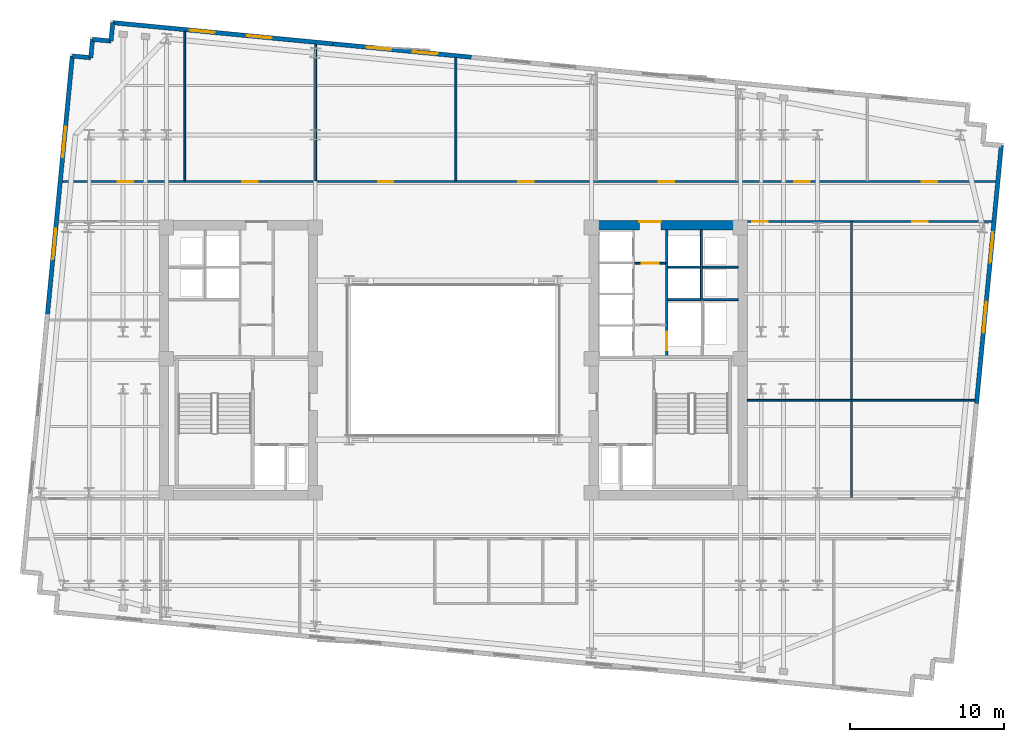
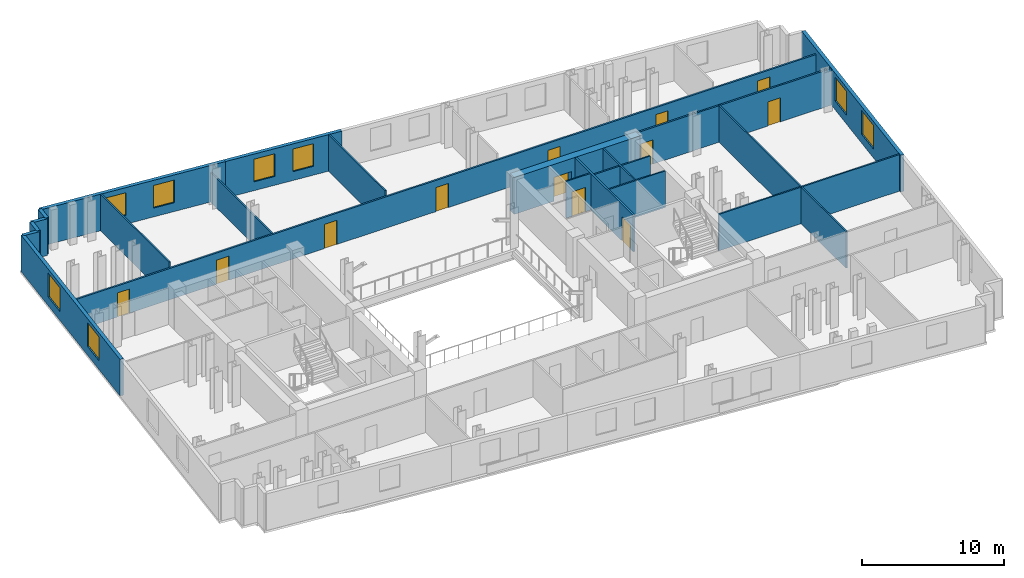
# One storey, part 6 of 9: 22 walls, 12 doors, 8 windows, 20 openings.
"""IFC4 building model written with IfcOpenShell, lengths in metres."""

from ifc_helpers import new_model, si_unit, direction, frame, frame_2d, origin, place, context, subcontext, project, spatial, rectangle, extrude, material, layer, layer_set, type_object, element, fill, save


model = new_model("IFC4")

# Units and contexts
model_context = context("Model", 3, precision=1e-05, world=origin(), true_north=direction((0.0, 1.0)))
body_context = subcontext(model_context, "Body", "Model", "MODEL_VIEW")
ifc_project = project(units=[si_unit("LENGTHUNIT", "METRE"), si_unit("AREAUNIT", "SQUARE_METRE"), si_unit("VOLUMEUNIT", "CUBIC_METRE"), si_unit("PLANEANGLEUNIT", "RADIAN"), si_unit("MASSUNIT", "GRAM", prefix="KILO")], contexts=[model_context])

# Site, building, storey
site_placement = place(None, origin())
site = spatial("IfcSite", under=ifc_project, at=site_placement, CompositionType="ELEMENT")
building_placement = place(site_placement, origin())
building = spatial("IfcBuilding", under=site, at=building_placement, Name="Velakula Bourse", CompositionType="ELEMENT")
storey_placement = place(building_placement, frame((0.0, 0.0, 191.449951171875)))
storey = spatial("IfcBuildingStorey", under=building, at=storey_placement, Name="L52", CompositionType="ELEMENT", Elevation=191.449951171875)

# Wall, opening, door
ifc_material_1 = material(Name="Concrete M70 (fck 70 MPa)", Category="concrete")
ifc_layer_1 = layer(ifc_material_1, 0.60009765625, Name="Concrete M70 (fck 70 MPa)", Category="concrete")
ifc_layer_set_1 = layer_set([ifc_layer_1], Name="Concrete M70 (fck 70 MPa)")
wall_type_1 = type_object("IfcWallType", Name="WL-CORE-600", PredefinedType="SHEAR", material=ifc_layer_set_1)
wall_1_placement = place(storey_placement, frame((8.800048828125, 8.75, 0.0), z_axis=(0.0, 0.0, 1.0), x_axis=(1.0, 0.0, 0.0)))
wall_1 = element("IfcWall", 1, at=wall_1_placement, inside=storey, type_object=wall_type_1, Name="L52 Core E Shear Wall N", PredefinedType="SHEAR", context=body_context, shape_type="SweptSolid", body=[
    extrude(rectangle(XDim=10.25, YDim=0.60009765625, at=frame_2d((5.125, 0.0))), origin(), (0.0, 0.0, 1.0), 3.170166015625),
])
opening_1_placement = place(wall_1_placement, frame((3.25, 0.0, 0.0)))
opening_1 = element("IfcOpeningElement", 2, at=opening_1_placement, cuts=wall_1, Name="Opening D-LLE", PredefinedType="OPENING", context=body_context, shape_type="SweptSolid", body=[
    extrude(rectangle(XDim=1.39990234375, YDim=2.050048828125, at=frame_2d((0.699951171875, 1.02490234375))), frame((0.0, 0.31005859375, 0.0), z_axis=(0.0, -1.0, 0.0), x_axis=(1.0, 0.0, 0.0)), (0.0, 0.0, 1.0), 0.6201171875),
])
ifc_material_2 = material(Name="Fire-rated hardwood flush architectural door", Category="wood")
door_type_1 = type_object("IfcDoorType", Name="DR-DBL-FD60-1400", OperationType="DOUBLE_DOOR_SINGLE_SWING", PredefinedType="DOOR", material=ifc_material_2)
door_1_placement = place(opening_1_placement, origin())
door_1 = element("IfcDoor", 3, at=door_1_placement, inside=storey, type_object=door_type_1, Name="L52 Core E Lift Lobby Corridor Double Door", OperationType="DOUBLE_DOOR_SINGLE_SWING", OverallHeight=2.050048828125, OverallWidth=1.39990234375, PredefinedType="DOOR", context=body_context, shape_type="SweptSolid", body=[
    extrude(rectangle(XDim=1.39990234375, YDim=2.050048828125, at=frame_2d((0.699951171875, 1.02490234375))), frame((0.0, 0.2451171875, 0.0), z_axis=(0.0, -1.0, 0.0), x_axis=(1.0, 0.0, 0.0)), (0.0, 0.0, 1.0), 0.050048828125),
])
fill(opening_1, door_1)

# Wall, openings, windows
ifc_material_3 = material(Name="Red kilned clay facing brick masonry", Category="masonry")
ifc_layer_2 = layer(ifc_material_3, 0.280029296875, Name="Red kilned clay facing brick masonry", Category="masonry")
ifc_layer_set_2 = layer_set([ifc_layer_2], Name="Red kilned clay facing brick masonry")
wall_type_2 = type_object("IfcWallType", Name="WL-EXT-BRK-280", PredefinedType="STANDARD", material=ifc_layer_set_2)
wall_2_placement = place(storey_placement, frame((-22.072509765625, 21.8701171875, 0.0), z_axis=(0.0, 0.0, 1.0), x_axis=(0.995395606285, -0.095851901334, 0.0)))
wall_2 = element("IfcWall", 4, at=wall_2_placement, inside=storey, type_object=wall_type_2, Name="L52 N Brick Spandrel Wall B1", PredefinedType="STANDARD", context=body_context, shape_type="SweptSolid", body=[
    extrude(rectangle(XDim=14.33984375, YDim=0.280029296875, at=frame_2d((7.169921875, 0.0))), origin(), (0.0, 0.0, 1.0), 3.150146484375),
])
opening_2_placement = place(wall_2_placement, frame((5.030029296875, 0.0, 0.760009765625)))
opening_2 = element("IfcOpeningElement", 5, at=opening_2_placement, cuts=wall_2, Name="Opening W-02", PredefinedType="OPENING", context=body_context, shape_type="SweptSolid", body=[
    extrude(rectangle(XDim=1.60009765625, YDim=1.949951171875, at=frame_2d((0.800048828125, 0.97509765625))), frame((0.0, 0.14990234375, 0.0), z_axis=(0.0, -1.0, 0.0), x_axis=(1.0, 0.0, 0.0)), (0.0, 0.0, 1.0), 0.300048828125),
])
opening_3_placement = place(wall_2_placement, frame((8.760009765625, 0.0, 0.760009765625)))
opening_3 = element("IfcOpeningElement", 6, at=opening_3_placement, cuts=wall_2, Name="Opening W-02", PredefinedType="OPENING", context=body_context, shape_type="SweptSolid", body=[
    extrude(rectangle(XDim=1.60009765625, YDim=1.949951171875, at=frame_2d((0.800048828125, 0.97509765625))), frame((0.0, 0.14990234375, 0.0), z_axis=(0.0, -1.0, 0.0), x_axis=(1.0, 0.0, 0.0)), (0.0, 0.0, 1.0), 0.300048828125),
])
ifc_material_4 = material(Name="Double-glazed solar-control Low-E glass", Category="glass")
window_type_1 = type_object("IfcWindowType", Name="WIN-TWR-1600x2100", PartitioningType="SINGLE_PANEL", PredefinedType="WINDOW", material=ifc_material_4)
window_1_placement = place(opening_2_placement, origin())
window_1 = element("IfcWindow", 7, at=window_1_placement, inside=storey, type_object=window_type_1, Name="L52 Deep-Set Recessed Window 1", OverallHeight=1.949951171875, OverallWidth=1.60009765625, PartitioningType="SINGLE_PANEL", PredefinedType="WINDOW", context=body_context, shape_type="SweptSolid", body=[
    extrude(rectangle(XDim=1.60009765625, YDim=1.949951171875, at=frame_2d((0.800048828125, 0.97509765625))), frame((0.0, 0.030029296875, 0.0), z_axis=(0.0, -1.0, 0.0), x_axis=(1.0, 0.0, 0.0)), (0.0, 0.0, 1.0), 0.06005859375),
])
fill(opening_2, window_1)
window_2_placement = place(opening_3_placement, origin())
window_2 = element("IfcWindow", 8, at=window_2_placement, inside=storey, type_object=window_type_1, Name="L52 Deep-Set Recessed Window 2", OverallHeight=1.949951171875, OverallWidth=1.60009765625, PartitioningType="SINGLE_PANEL", PredefinedType="WINDOW", context=body_context, shape_type="SweptSolid", body=[
    extrude(rectangle(XDim=1.60009765625, YDim=1.949951171875, at=frame_2d((0.800048828125, 0.97509765625))), frame((0.0, 0.030029296875, 0.0), z_axis=(0.0, -1.0, 0.0), x_axis=(1.0, 0.0, 0.0)), (0.0, 0.0, 1.0), 0.06005859375),
])
fill(opening_3, window_2)

wall_3_placement = place(storey_placement, frame((-7.798583984375, 20.49560546875, 0.0), z_axis=(0.0, 0.0, 1.0), x_axis=(0.995396794462, -0.09583956164, 0.0)))
wall_3 = element("IfcWall", 9, at=wall_3_placement, inside=storey, type_object=wall_type_2, Name="L52 N Brick Spandrel Wall B2", PredefinedType="STANDARD", context=body_context, shape_type="SweptSolid", body=[
    extrude(rectangle(XDim=9.0, YDim=0.280029296875, at=frame_2d((4.5, 0.0))), origin(), (0.0, 0.0, 1.0), 3.150146484375),
])
opening_4_placement = place(wall_3_placement, frame((2.199951171875, 0.0, 0.760009765625)))
opening_4 = element("IfcOpeningElement", 10, at=opening_4_placement, cuts=wall_3, Name="Opening W-02", PredefinedType="OPENING", context=body_context, shape_type="SweptSolid", body=[
    extrude(rectangle(XDim=1.60009765625, YDim=1.949951171875, at=frame_2d((0.800048828125, 0.97509765625))), frame((0.0, 0.14990234375, 0.0), z_axis=(0.0, -1.0, 0.0), x_axis=(1.0, 0.0, 0.0)), (0.0, 0.0, 1.0), 0.300048828125),
])
opening_5_placement = place(wall_3_placement, frame((5.199951171875, 0.0, 0.760009765625)))
opening_5 = element("IfcOpeningElement", 11, at=opening_5_placement, cuts=wall_3, Name="Opening W-02", PredefinedType="OPENING", context=body_context, shape_type="SweptSolid", body=[
    extrude(rectangle(XDim=1.60009765625, YDim=1.949951171875, at=frame_2d((0.800048828125, 0.97509765625))), frame((0.0, 0.14990234375, 0.0), z_axis=(0.0, -1.0, 0.0), x_axis=(1.0, 0.0, 0.0)), (0.0, 0.0, 1.0), 0.300048828125),
])
window_3_placement = place(opening_4_placement, origin())
window_3 = element("IfcWindow", 12, at=window_3_placement, inside=storey, type_object=window_type_1, Name="L52 Deep-Set Recessed Window 1", OverallHeight=1.949951171875, OverallWidth=1.60009765625, PartitioningType="SINGLE_PANEL", PredefinedType="WINDOW", context=body_context, shape_type="SweptSolid", body=[
    extrude(rectangle(XDim=1.60009765625, YDim=1.949951171875, at=frame_2d((0.800048828125, 0.97509765625))), frame((0.0, 0.030029296875, 0.0), z_axis=(0.0, -1.0, 0.0), x_axis=(1.0, 0.0, 0.0)), (0.0, 0.0, 1.0), 0.06005859375),
])
fill(opening_4, window_3)
window_4_placement = place(opening_5_placement, origin())
window_4 = element("IfcWindow", 13, at=window_4_placement, inside=storey, type_object=window_type_1, Name="L52 Deep-Set Recessed Window 2", OverallHeight=1.949951171875, OverallWidth=1.60009765625, PartitioningType="SINGLE_PANEL", PredefinedType="WINDOW", context=body_context, shape_type="SweptSolid", body=[
    extrude(rectangle(XDim=1.60009765625, YDim=1.949951171875, at=frame_2d((0.800048828125, 0.97509765625))), frame((0.0, 0.030029296875, 0.0), z_axis=(0.0, -1.0, 0.0), x_axis=(1.0, 0.0, 0.0)), (0.0, 0.0, 1.0), 0.06005859375),
])
fill(opening_5, window_4)

wall_4_placement = place(storey_placement, frame((-26.30078125, 2.998291015625, 0.0), z_axis=(0.0, 0.0, 1.0), x_axis=(0.095837640115, 0.99539697947, 0.0)))
wall_4 = element("IfcWall", 14, at=wall_4_placement, inside=storey, type_object=wall_type_2, Name="L52 W Brick End Wall W2", PredefinedType="STANDARD", context=body_context, shape_type="SweptSolid", body=[
    extrude(rectangle(XDim=16.790283203125, YDim=0.280029296875, at=frame_2d((8.39501953125, 0.0))), origin(), (0.0, 0.0, 1.0), 3.150146484375),
])
opening_6_placement = place(wall_4_placement, frame((3.546630859375, 0.0, 0.760009765625)))
opening_6 = element("IfcOpeningElement", 15, at=opening_6_placement, cuts=wall_4, Name="Opening W-05", PredefinedType="OPENING", context=body_context, shape_type="SweptSolid", body=[
    extrude(rectangle(XDim=2.0, YDim=2.050048828125, at=frame_2d((1.0, 1.02490234375))), frame((0.0, 0.14990234375, 0.0), z_axis=(0.0, -1.0, 0.0), x_axis=(1.0, 0.0, 0.0)), (0.0, 0.0, 1.0), 0.300048828125),
])
opening_7_placement = place(wall_4_placement, frame((10.193359375, 0.0, 0.760009765625)))
opening_7 = element("IfcOpeningElement", 16, at=opening_7_placement, cuts=wall_4, Name="Opening W-05", PredefinedType="OPENING", context=body_context, shape_type="SweptSolid", body=[
    extrude(rectangle(XDim=2.0, YDim=2.050048828125, at=frame_2d((1.0, 1.02490234375))), frame((0.0, 0.14990234375, 0.0), z_axis=(0.0, -1.0, 0.0), x_axis=(1.0, 0.0, 0.0)), (0.0, 0.0, 1.0), 0.300048828125),
])
window_type_2 = type_object("IfcWindowType", Name="WIN-TWR-2000x2200", PartitioningType="DOUBLE_PANEL_VERTICAL", PredefinedType="WINDOW", material=ifc_material_4)
window_5_placement = place(opening_6_placement, origin())
window_5 = element("IfcWindow", 17, at=window_5_placement, inside=storey, type_object=window_type_2, Name="L52 Deep-Set Recessed Window 1", OverallHeight=2.050048828125, OverallWidth=2.0, PartitioningType="DOUBLE_PANEL_VERTICAL", PredefinedType="WINDOW", context=body_context, shape_type="SweptSolid", body=[
    extrude(rectangle(XDim=2.0, YDim=2.050048828125, at=frame_2d((1.0, 1.02490234375))), frame((0.0, 0.030029296875, 0.0), z_axis=(0.0, -1.0, 0.0), x_axis=(1.0, 0.0, 0.0)), (0.0, 0.0, 1.0), 0.06005859375),
])
fill(opening_6, window_5)
window_6_placement = place(opening_7_placement, origin())
window_6 = element("IfcWindow", 18, at=window_6_placement, inside=storey, type_object=window_type_2, Name="L52 Deep-Set Recessed Window 2", OverallHeight=2.050048828125, OverallWidth=2.0, PartitioningType="DOUBLE_PANEL_VERTICAL", PredefinedType="WINDOW", context=body_context, shape_type="SweptSolid", body=[
    extrude(rectangle(XDim=2.0, YDim=2.050048828125, at=frame_2d((1.0, 1.02490234375))), frame((0.0, 0.030029296875, 0.0), z_axis=(0.0, -1.0, 0.0), x_axis=(1.0, 0.0, 0.0)), (0.0, 0.0, 1.0), 0.06005859375),
])
fill(opening_7, window_6)

wall_5_placement = place(storey_placement, frame((35.510009765625, 13.914306640625, 0.0), z_axis=(0.0, 0.0, 1.0), x_axis=(-0.095839027265, -0.995396845913, 0.0)))
wall_5 = element("IfcWall", 19, at=wall_5_placement, inside=storey, type_object=wall_type_2, Name="L52 E Brick End Wall W2", PredefinedType="STANDARD", context=body_context, shape_type="SweptSolid", body=[
    extrude(rectangle(XDim=16.7900390625, YDim=0.280029296875, at=frame_2d((8.39501953125, 0.0))), origin(), (0.0, 0.0, 1.0), 3.150146484375),
])
opening_8_placement = place(wall_5_placement, frame((5.646728515625, 0.0, 0.760009765625)))
opening_8 = element("IfcOpeningElement", 20, at=opening_8_placement, cuts=wall_5, Name="Opening W-05", PredefinedType="OPENING", context=body_context, shape_type="SweptSolid", body=[
    extrude(rectangle(XDim=2.0, YDim=2.050048828125, at=frame_2d((1.0, 1.02490234375))), frame((0.0, 0.14990234375, 0.0), z_axis=(0.0, -1.0, 0.0), x_axis=(1.0, 0.0, 0.0)), (0.0, 0.0, 1.0), 0.300048828125),
])
opening_9_placement = place(wall_5_placement, frame((10.193359375, 0.0, 0.760009765625)))
opening_9 = element("IfcOpeningElement", 21, at=opening_9_placement, cuts=wall_5, Name="Opening W-05", PredefinedType="OPENING", context=body_context, shape_type="SweptSolid", body=[
    extrude(rectangle(XDim=2.0, YDim=2.050048828125, at=frame_2d((1.0, 1.02490234375))), frame((0.0, 0.14990234375, 0.0), z_axis=(0.0, -1.0, 0.0), x_axis=(1.0, 0.0, 0.0)), (0.0, 0.0, 1.0), 0.300048828125),
])
window_7_placement = place(opening_8_placement, origin())
window_7 = element("IfcWindow", 22, at=window_7_placement, inside=storey, type_object=window_type_2, Name="L52 Deep-Set Recessed Window 1", OverallHeight=2.050048828125, OverallWidth=2.0, PartitioningType="DOUBLE_PANEL_VERTICAL", PredefinedType="WINDOW", context=body_context, shape_type="SweptSolid", body=[
    extrude(rectangle(XDim=2.0, YDim=2.050048828125, at=frame_2d((1.0, 1.02490234375))), frame((0.0, 0.030029296875, 0.0), z_axis=(0.0, -1.0, 0.0), x_axis=(1.0, 0.0, 0.0)), (0.0, 0.0, 1.0), 0.06005859375),
])
fill(opening_8, window_7)
window_8_placement = place(opening_9_placement, origin())
window_8 = element("IfcWindow", 23, at=window_8_placement, inside=storey, type_object=window_type_2, Name="L52 Deep-Set Recessed Window 2", OverallHeight=2.050048828125, OverallWidth=2.0, PartitioningType="DOUBLE_PANEL_VERTICAL", PredefinedType="WINDOW", context=body_context, shape_type="SweptSolid", body=[
    extrude(rectangle(XDim=2.0, YDim=2.050048828125, at=frame_2d((1.0, 1.02490234375))), frame((0.0, 0.030029296875, 0.0), z_axis=(0.0, -1.0, 0.0), x_axis=(1.0, 0.0, 0.0)), (0.0, 0.0, 1.0), 0.06005859375),
])
fill(opening_9, window_8)

# Walls
for number, where, z_axis, x_axis, name in (
    (24, (-22.072509765625, 21.8701171875, 0.0), (0.0, 0.0, 1.0), (-0.095817067274, -0.995398960025, 0.0), "L52 Serrated Corner Brick Wall NW-1"),
    (25, (-22.1875, 20.675537109375, 0.0), (0.0, 0.0, 1.0), (-0.995398960025, 0.095817067274, 0.0), "L52 Serrated Corner Brick Wall NW-2"),
    (26, (-23.382080078125, 20.79052734375, 0.0), (0.0, 0.0, 1.0), (-0.095817067274, -0.995398960025, 0.0), "L52 Serrated Corner Brick Wall NW-3"),
    (27, (-23.4970703125, 19.595947265625, 0.0), (0.0, 0.0, 1.0), (-0.995379537303, 0.096018626938, 0.0), "L52 Serrated Corner Brick Wall NW-4"),
):
    element("IfcWall", number, at=place(storey_placement, frame(where, z_axis=z_axis, x_axis=x_axis)), inside=storey, type_object=wall_type_2, Name=name, PredefinedType="STANDARD", context=body_context, shape_type="SweptSolid", body=[
        extrude(rectangle(XDim=1.2001953125, YDim=0.280029296875, at=frame_2d((0.60009765625, 0.0))), origin(), (0.0, 0.0, 1.0), 3.150146484375),
    ])

# Wall, opening, door
ifc_material_5 = material(Name="Fire-rated double-layer gypsum drywall partition", Category="gypsum")
ifc_layer_3 = layer(ifc_material_5, 0.1201171875, Name="Fire-rated double-layer gypsum drywall partition", Category="gypsum")
ifc_layer_set_3 = layer_set([ifc_layer_3], Name="Fire-rated double-layer gypsum drywall partition")
wall_type_3 = type_object("IfcWallType", Name="WL-PART-120", PredefinedType="STANDARD", material=ifc_layer_set_3)
wall_6_placement = place(storey_placement, frame((11.75, 6.280029296875, 0.0), z_axis=(0.0, 0.0, 1.0), x_axis=(1.0, 0.0, 0.0)))
wall_6 = element("IfcWall", 28, at=wall_6_placement, inside=storey, type_object=wall_type_3, Name="L52 Interior Partition WL-CRE-L52-LL-K3B", PredefinedType="STANDARD", context=body_context, shape_type="SweptSolid", body=[
    extrude(rectangle(XDim=2.0, YDim=0.1201171875, at=frame_2d((1.0, 0.0))), origin(), (0.0, 0.0, 1.0), 3.150146484375),
])
opening_10_placement = place(wall_6_placement, frame((0.449951171875, 0.0, 0.0)))
opening_10 = element("IfcOpeningElement", 29, at=opening_10_placement, cuts=wall_6, Name="Opening D-LK3", PredefinedType="OPENING", context=body_context, shape_type="SweptSolid", body=[
    extrude(rectangle(XDim=1.10009765625, YDim=2.10009765625, at=frame_2d((0.550048828125, 1.050048828125))), frame((0.0, 0.070068359375, 0.0), z_axis=(0.0, -1.0, 0.0), x_axis=(1.0, 0.0, 0.0)), (0.0, 0.0, 1.0), 0.14013671875),
])
door_type_2 = type_object("IfcDoorType", Name="DR-FD60-1100x2100", OperationType="NOTDEFINED", PredefinedType="DOOR", material=ifc_material_2)
door_2_placement = place(opening_10_placement, origin())
door_2 = element("IfcDoor", 30, at=door_2_placement, inside=storey, type_object=door_type_2, Name="L52 Core E Lift Lobby Vestibule Door B", OperationType="SINGLE_SWING_RIGHT", OverallHeight=2.10009765625, OverallWidth=1.10009765625, PredefinedType="DOOR", context=body_context, shape_type="SweptSolid", body=[
    extrude(rectangle(XDim=1.10009765625, YDim=2.10009765625, at=frame_2d((0.550048828125, 1.050048828125))), frame((0.0, 0.02490234375, 0.0), z_axis=(0.0, -1.0, 0.0), x_axis=(1.0, 0.0, 0.0)), (0.0, 0.0, 1.0), 0.050048828125),
])
fill(opening_10, door_2)

# Walls
wall_7_placement = place(storey_placement, frame((13.89990234375, 3.919921875, 0.0), z_axis=(0.0, 0.0, 1.0), x_axis=(1.0, 0.0, 0.0)))
element("IfcWall", 31, at=wall_7_placement, inside=storey, type_object=wall_type_3, Name="L52 Interior Partition WL-CRE-L52-HI-S", PredefinedType="STANDARD", context=body_context, shape_type="SweptSolid", body=[
    extrude(rectangle(XDim=4.550048828125, YDim=0.1201171875, at=frame_2d((2.27490234375, 0.0))), origin(), (0.0, 0.0, 1.0), 3.150146484375),
])
wall_8_placement = place(storey_placement, frame((16.14990234375, 6.030029296875, 0.0), z_axis=(0.0, 0.0, 1.0), x_axis=(1.0, 0.0, 0.0)))
element("IfcWall", 32, at=wall_8_placement, inside=storey, type_object=wall_type_3, Name="L52 Interior Partition WL-CRE-L52-RIS-MID", PredefinedType="STANDARD", context=body_context, shape_type="SweptSolid", body=[
    extrude(rectangle(XDim=2.300048828125, YDim=0.1201171875, at=frame_2d((1.14990234375, 0.0))), origin(), (0.0, 0.0, 1.0), 3.150146484375),
])
wall_9_placement = place(storey_placement, frame((16.074951171875, 3.97998046875, 0.0), z_axis=(0.0, 0.0, 1.0), x_axis=(0.0, 1.0, 0.0)))
element("IfcWall", 33, at=wall_9_placement, inside=storey, type_object=wall_type_3, Name="L52 Interior Partition WL-CRE-L52-RIS-F", PredefinedType="STANDARD", context=body_context, shape_type="SweptSolid", body=[
    extrude(rectangle(XDim=4.469970703125, YDim=0.1201171875, at=frame_2d((2.23486328125, 0.0))), origin(), (0.0, 0.0, 1.0), 3.150146484375),
])
wall_10_placement = place(storey_placement, frame((13.89990234375, 6.030029296875, 0.0), z_axis=(0.0, 0.0, 1.0), x_axis=(1.0, 0.0, 0.0)))
element("IfcWall", 34, at=wall_10_placement, inside=storey, type_object=wall_type_3, Name="L52 Interior Partition WL-CRE-L52-HI-DIV", PredefinedType="STANDARD", context=body_context, shape_type="SweptSolid", body=[
    extrude(rectangle(XDim=2.10009765625, YDim=0.1201171875, at=frame_2d((1.050048828125, 0.0))), origin(), (0.0, 0.0, 1.0), 3.150146484375),
])
wall_11_placement = place(storey_placement, frame((-17.409912109375, 11.639892578125, 0.0), z_axis=(0.0, 0.0, 1.0), x_axis=(0.0, 1.0, 0.0)))
element("IfcWall", 35, at=wall_11_placement, inside=storey, type_object=wall_type_3, Name="L52 Interior Partition WL-INT-L52-N-D1", PredefinedType="STANDARD", context=body_context, shape_type="SweptSolid", body=[
    extrude(rectangle(XDim=9.66064453125, YDim=0.1201171875, at=frame_2d((4.830322265625, 0.0))), origin(), (0.0, 0.0, 1.0), 3.150146484375),
])
wall_12_placement = place(storey_placement, frame((-8.925048828125, 11.639892578125, 0.0), z_axis=(0.0, 0.0, 1.0), x_axis=(0.0, 1.0, 0.0)))
element("IfcWall", 36, at=wall_12_placement, inside=storey, type_object=wall_type_3, Name="L52 Interior Partition WL-INT-L52-N-D2", PredefinedType="STANDARD", context=body_context, shape_type="SweptSolid", body=[
    extrude(rectangle(XDim=8.843505859375, YDim=0.1201171875, at=frame_2d((4.421875, 0.0))), origin(), (0.0, 0.0, 1.0), 2.545166015625),
])
wall_13_placement = place(storey_placement, frame((0.1650390625, 11.639892578125, 0.0), z_axis=(0.0, 0.0, 1.0), x_axis=(0.0, 1.0, 0.0)))
element("IfcWall", 37, at=wall_13_placement, inside=storey, type_object=wall_type_3, Name="L52 Interior Partition WL-INT-L52-N-D3", PredefinedType="STANDARD", context=body_context, shape_type="SweptSolid", body=[
    extrude(rectangle(XDim=7.96826171875, YDim=0.1201171875, at=frame_2d((3.984130859375, 0.0))), origin(), (0.0, 0.0, 1.0), 3.150146484375),
])
wall_14_placement = place(storey_placement, frame((19.050048828125, -2.60009765625, 0.0), z_axis=(0.0, 0.0, 1.0), x_axis=(1.0, 0.0, 0.0)))
element("IfcWall", 38, at=wall_14_placement, inside=storey, type_object=wall_type_3, Name="L52 Interior Partition WL-INT-L52-E-H", PredefinedType="STANDARD", context=body_context, shape_type="SweptSolid", body=[
    extrude(rectangle(XDim=14.749267578125, YDim=0.1201171875, at=frame_2d((7.37451171875, 0.0))), origin(), (0.0, 0.0, 1.0), 3.150146484375),
])
wall_15_placement = place(storey_placement, frame((25.802001953125, -8.97998046875, 0.0), z_axis=(0.0, 0.0, 1.0), x_axis=(0.0, 1.0, 0.0)))
element("IfcWall", 39, at=wall_15_placement, inside=storey, type_object=wall_type_3, Name="L52 Interior Partition WL-INT-L52-E-V1", PredefinedType="STANDARD", context=body_context, shape_type="SweptSolid", body=[
    extrude(rectangle(XDim=17.9599609375, YDim=0.1201171875, at=frame_2d((8.97998046875, 0.0))), origin(), (0.0, 0.0, 1.0), 3.150146484375),
])

# Wall, openings, doors
ifc_layer_4 = layer(ifc_material_5, 0.139892578125, Name="Fire-rated double-layer gypsum drywall partition", Category="gypsum")
ifc_layer_set_4 = layer_set([ifc_layer_4], Name="Fire-rated double-layer gypsum drywall partition")
wall_type_4 = type_object("IfcWallType", Name="WL-PART-140", PredefinedType="STANDARD", material=ifc_layer_set_4)
wall_16_placement = place(storey_placement, frame((-25.35498046875, 11.570068359375, 0.0), z_axis=(0.0, 0.0, 1.0), x_axis=(1.0, 0.0, 0.0)))
wall_16 = element("IfcWall", 40, at=wall_16_placement, inside=storey, type_object=wall_type_4, Name="L52 Interior Partition WL-INT-L52-N-CORR", PredefinedType="STANDARD", context=body_context, shape_type="SweptSolid", body=[
    extrude(rectangle(XDim=60.518798828125, YDim=0.139892578125, at=frame_2d((30.25927734375, 0.0))), origin(), (0.0, 0.0, 1.0), 2.695068359375),
])
opening_11_placement = place(wall_16_placement, frame((3.598388671875, 0.0, 0.0)))
opening_11 = element("IfcOpeningElement", 41, at=opening_11_placement, cuts=wall_16, Name="Opening D-OF1", PredefinedType="OPENING", context=body_context, shape_type="SweptSolid", body=[
    extrude(rectangle(XDim=1.0, YDim=2.080078125, at=frame_2d((0.5, 1.0400390625))), frame((0.0, 0.079833984375, 0.0), z_axis=(0.0, -1.0, 0.0), x_axis=(1.0, 0.0, 0.0)), (0.0, 0.0, 1.0), 0.159912109375),
])
opening_12_placement = place(wall_16_placement, frame((11.6875, 0.0, 0.0)))
opening_12 = element("IfcOpeningElement", 42, at=opening_12_placement, cuts=wall_16, Name="Opening D-OF1", PredefinedType="OPENING", context=body_context, shape_type="SweptSolid", body=[
    extrude(rectangle(XDim=1.0, YDim=2.080078125, at=frame_2d((0.5, 1.0400390625))), frame((0.0, 0.079833984375, 0.0), z_axis=(0.0, -1.0, 0.0), x_axis=(1.0, 0.0, 0.0)), (0.0, 0.0, 1.0), 0.159912109375),
])
opening_13_placement = place(wall_16_placement, frame((20.474853515625, 0.0, 0.0)))
opening_13 = element("IfcOpeningElement", 43, at=opening_13_placement, cuts=wall_16, Name="Opening D-OF1", PredefinedType="OPENING", context=body_context, shape_type="SweptSolid", body=[
    extrude(rectangle(XDim=1.0, YDim=2.080078125, at=frame_2d((0.5, 1.0400390625))), frame((0.0, 0.079833984375, 0.0), z_axis=(0.0, -1.0, 0.0), x_axis=(1.0, 0.0, 0.0)), (0.0, 0.0, 1.0), 0.159912109375),
])
opening_14_placement = place(wall_16_placement, frame((29.56494140625, 0.0, 0.0)))
opening_14 = element("IfcOpeningElement", 44, at=opening_14_placement, cuts=wall_16, Name="Opening D-OF1", PredefinedType="OPENING", context=body_context, shape_type="SweptSolid", body=[
    extrude(rectangle(XDim=1.0, YDim=2.080078125, at=frame_2d((0.5, 1.0400390625))), frame((0.0, 0.079833984375, 0.0), z_axis=(0.0, -1.0, 0.0), x_axis=(1.0, 0.0, 0.0)), (0.0, 0.0, 1.0), 0.159912109375),
])
opening_15_placement = place(wall_16_placement, frame((38.65478515625, 0.0, 0.0)))
opening_15 = element("IfcOpeningElement", 45, at=opening_15_placement, cuts=wall_16, Name="Opening D-OF1", PredefinedType="OPENING", context=body_context, shape_type="SweptSolid", body=[
    extrude(rectangle(XDim=1.0, YDim=2.080078125, at=frame_2d((0.5, 1.0400390625))), frame((0.0, 0.079833984375, 0.0), z_axis=(0.0, -1.0, 0.0), x_axis=(1.0, 0.0, 0.0)), (0.0, 0.0, 1.0), 0.159912109375),
])
opening_16_placement = place(wall_16_placement, frame((47.44189453125, 0.0, 0.0)))
opening_16 = element("IfcOpeningElement", 46, at=opening_16_placement, cuts=wall_16, Name="Opening D-OF1", PredefinedType="OPENING", context=body_context, shape_type="SweptSolid", body=[
    extrude(rectangle(XDim=1.0, YDim=2.080078125, at=frame_2d((0.5, 1.0400390625))), frame((0.0, 0.079833984375, 0.0), z_axis=(0.0, -1.0, 0.0), x_axis=(1.0, 0.0, 0.0)), (0.0, 0.0, 1.0), 0.159912109375),
])
opening_17_placement = place(wall_16_placement, frame((55.72509765625, 0.0, 0.0)))
opening_17 = element("IfcOpeningElement", 47, at=opening_17_placement, cuts=wall_16, Name="Opening D-OF1", PredefinedType="OPENING", context=body_context, shape_type="SweptSolid", body=[
    extrude(rectangle(XDim=1.0, YDim=2.080078125, at=frame_2d((0.5, 1.0400390625))), frame((0.0, 0.079833984375, 0.0), z_axis=(0.0, -1.0, 0.0), x_axis=(1.0, 0.0, 0.0)), (0.0, 0.0, 1.0), 0.159912109375),
])
door_type_3 = type_object("IfcDoorType", Name="DR-OFF-1000", OperationType="NOTDEFINED", PredefinedType="DOOR", material=ifc_material_2)
door_3_placement = place(opening_11_placement, origin())
door_3 = element("IfcDoor", 48, at=door_3_placement, inside=storey, type_object=door_type_3, Name="L52 Derivatives Dealing Workspace Door", OperationType="SINGLE_SWING_LEFT", OverallHeight=2.080078125, OverallWidth=1.0, PredefinedType="DOOR", context=body_context, shape_type="SweptSolid", body=[
    extrude(rectangle(XDim=1.0, YDim=2.080078125, at=frame_2d((0.5, 1.0400390625))), frame((0.0, 0.02490234375, 0.0), z_axis=(0.0, -1.0, 0.0), x_axis=(1.0, 0.0, 0.0)), (0.0, 0.0, 1.0), 0.050048828125),
])
fill(opening_11, door_3)
door_4_placement = place(opening_12_placement, origin())
door_4 = element("IfcDoor", 49, at=door_4_placement, inside=storey, type_object=door_type_3, Name="L52 Listing Committee Chamber Door", OperationType="SINGLE_SWING_RIGHT", OverallHeight=2.080078125, OverallWidth=1.0, PredefinedType="DOOR", context=body_context, shape_type="SweptSolid", body=[
    extrude(rectangle(XDim=1.0, YDim=2.080078125, at=frame_2d((0.5, 1.0400390625))), frame((0.0, 0.02490234375, 0.0), z_axis=(0.0, -1.0, 0.0), x_axis=(1.0, 0.0, 0.0)), (0.0, 0.0, 1.0), 0.050048828125),
])
fill(opening_12, door_4)
door_5_placement = place(opening_13_placement, origin())
door_5 = element("IfcDoor", 50, at=door_5_placement, inside=storey, type_object=door_type_3, Name="L52 Traders Pantry Door", OperationType="SINGLE_SWING_LEFT", OverallHeight=2.080078125, OverallWidth=1.0, PredefinedType="DOOR", context=body_context, shape_type="SweptSolid", body=[
    extrude(rectangle(XDim=1.0, YDim=2.080078125, at=frame_2d((0.5, 1.0400390625))), frame((0.0, 0.02490234375, 0.0), z_axis=(0.0, -1.0, 0.0), x_axis=(1.0, 0.0, 0.0)), (0.0, 0.0, 1.0), 0.050048828125),
])
fill(opening_13, door_5)
door_6_placement = place(opening_14_placement, origin())
door_6 = element("IfcDoor", 51, at=door_6_placement, inside=storey, type_object=door_type_3, Name="L52 Traders Bistro Restaurant Door", OperationType="SINGLE_SWING_RIGHT", OverallHeight=2.080078125, OverallWidth=1.0, PredefinedType="DOOR", context=body_context, shape_type="SweptSolid", body=[
    extrude(rectangle(XDim=1.0, YDim=2.080078125, at=frame_2d((0.5, 1.0400390625))), frame((0.0, 0.02490234375, 0.0), z_axis=(0.0, -1.0, 0.0), x_axis=(1.0, 0.0, 0.0)), (0.0, 0.0, 1.0), 0.050048828125),
])
fill(opening_14, door_6)
door_7_placement = place(opening_15_placement, origin())
door_7 = element("IfcDoor", 52, at=door_7_placement, inside=storey, type_object=door_type_3, Name="L52 Broadcast Control Office Door", OperationType="SINGLE_SWING_LEFT", OverallHeight=2.080078125, OverallWidth=1.0, PredefinedType="DOOR", context=body_context, shape_type="SweptSolid", body=[
    extrude(rectangle(XDim=1.0, YDim=2.080078125, at=frame_2d((0.5, 1.0400390625))), frame((0.0, 0.02490234375, 0.0), z_axis=(0.0, -1.0, 0.0), x_axis=(1.0, 0.0, 0.0)), (0.0, 0.0, 1.0), 0.050048828125),
])
fill(opening_15, door_7)
door_8_placement = place(opening_16_placement, origin())
door_8 = element("IfcDoor", 53, at=door_8_placement, inside=storey, type_object=door_type_3, Name="L52 Derivatives Dealing Workspace Door", OperationType="SINGLE_SWING_RIGHT", OverallHeight=2.080078125, OverallWidth=1.0, PredefinedType="DOOR", context=body_context, shape_type="SweptSolid", body=[
    extrude(rectangle(XDim=1.0, YDim=2.080078125, at=frame_2d((0.5, 1.0400390625))), frame((0.0, 0.02490234375, 0.0), z_axis=(0.0, -1.0, 0.0), x_axis=(1.0, 0.0, 0.0)), (0.0, 0.0, 1.0), 0.050048828125),
])
fill(opening_16, door_8)
door_9_placement = place(opening_17_placement, origin())
door_9 = element("IfcDoor", 54, at=door_9_placement, inside=storey, type_object=door_type_3, Name="L52 Margin Control Office Door", OperationType="SINGLE_SWING_LEFT", OverallHeight=2.080078125, OverallWidth=1.0, PredefinedType="DOOR", context=body_context, shape_type="SweptSolid", body=[
    extrude(rectangle(XDim=1.0, YDim=2.080078125, at=frame_2d((0.5, 1.0400390625))), frame((0.0, 0.02490234375, 0.0), z_axis=(0.0, -1.0, 0.0), x_axis=(1.0, 0.0, 0.0)), (0.0, 0.0, 1.0), 0.050048828125),
])
fill(opening_17, door_9)

wall_17_placement = place(storey_placement, frame((19.050048828125, 8.97998046875, 0.0), z_axis=(0.0, 0.0, 1.0), x_axis=(1.0, 0.0, 0.0)))
wall_17 = element("IfcWall", 55, at=wall_17_placement, inside=storey, type_object=wall_type_4, Name="L52 Interior Partition WL-INT-L52-E-NC", PredefinedType="STANDARD", context=body_context, shape_type="SweptSolid", body=[
    extrude(rectangle(XDim=15.8642578125, YDim=0.139892578125, at=frame_2d((7.93212890625, 0.0))), origin(), (0.0, 0.0, 1.0), 3.150146484375),
])
opening_18_placement = place(wall_17_placement, frame((0.320068359375, 0.0, 0.0)))
opening_18 = element("IfcOpeningElement", 56, at=opening_18_placement, cuts=wall_17, Name="Opening D-OF1", PredefinedType="OPENING", context=body_context, shape_type="SweptSolid", body=[
    extrude(rectangle(XDim=1.0, YDim=2.080078125, at=frame_2d((0.5, 1.0400390625))), frame((0.0, 0.079833984375, 0.0), z_axis=(0.0, -1.0, 0.0), x_axis=(1.0, 0.0, 0.0)), (0.0, 0.0, 1.0), 0.159912109375),
])
opening_19_placement = place(wall_17_placement, frame((10.67822265625, 0.0, 0.0)))
opening_19 = element("IfcOpeningElement", 57, at=opening_19_placement, cuts=wall_17, Name="Opening D-OF1", PredefinedType="OPENING", context=body_context, shape_type="SweptSolid", body=[
    extrude(rectangle(XDim=1.0, YDim=2.080078125, at=frame_2d((0.5, 1.0400390625))), frame((0.0, 0.079833984375, 0.0), z_axis=(0.0, -1.0, 0.0), x_axis=(1.0, 0.0, 0.0)), (0.0, 0.0, 1.0), 0.159912109375),
])
door_10_placement = place(opening_18_placement, origin())
door_10 = element("IfcDoor", 58, at=door_10_placement, inside=storey, type_object=door_type_3, Name="L52 Compliance Review Office Door", OperationType="SINGLE_SWING_LEFT", OverallHeight=2.080078125, OverallWidth=1.0, PredefinedType="DOOR", context=body_context, shape_type="SweptSolid", body=[
    extrude(rectangle(XDim=1.0, YDim=2.080078125, at=frame_2d((0.5, 1.0400390625))), frame((0.0, 0.02490234375, 0.0), z_axis=(0.0, -1.0, 0.0), x_axis=(1.0, 0.0, 0.0)), (0.0, 0.0, 1.0), 0.050048828125),
])
fill(opening_18, door_10)
door_11_placement = place(opening_19_placement, origin())
door_11 = element("IfcDoor", 59, at=door_11_placement, inside=storey, type_object=door_type_3, Name="L52 Peer Review Boardroom Door", OperationType="SINGLE_SWING_RIGHT", OverallHeight=2.080078125, OverallWidth=1.0, PredefinedType="DOOR", context=body_context, shape_type="SweptSolid", body=[
    extrude(rectangle(XDim=1.0, YDim=2.080078125, at=frame_2d((0.5, 1.0400390625))), frame((0.0, 0.02490234375, 0.0), z_axis=(0.0, -1.0, 0.0), x_axis=(1.0, 0.0, 0.0)), (0.0, 0.0, 1.0), 0.050048828125),
])
fill(opening_19, door_11)

# Wall, opening, door
ifc_material_6 = material(Name="Autoclaved aerated concrete blockwork masonry", Category="masonry")
ifc_layer_5 = layer(ifc_material_6, 0.14990234375, Name="Autoclaved aerated concrete blockwork masonry", Category="masonry")
ifc_layer_set_5 = layer_set([ifc_layer_5], Name="Autoclaved aerated concrete blockwork masonry")
wall_type_5 = type_object("IfcWallType", Name="WL-SHAFT-150", PredefinedType="STANDARD", material=ifc_layer_set_5)
wall_18_placement = place(storey_placement, frame((13.824951171875, 0.27001953125, 0.0), z_axis=(0.0, 0.0, 1.0), x_axis=(0.0, 1.0, 0.0)))
wall_18 = element("IfcWall", 60, at=wall_18_placement, inside=storey, type_object=wall_type_5, Name="L52 Interior Partition WL-CRE-L52-OUT-F", PredefinedType="STANDARD", context=body_context, shape_type="SweptSolid", body=[
    extrude(rectangle(XDim=8.179931640625, YDim=0.14990234375, at=frame_2d((4.08984375, 0.0))), origin(), (0.0, 0.0, 1.0), 3.150146484375),
])
opening_20_placement = place(wall_18_placement, frame((0.3798828125, 0.0, 0.0)))
opening_20 = element("IfcOpeningElement", 61, at=opening_20_placement, cuts=wall_18, Name="Opening LD-SVL1", PredefinedType="OPENING", context=body_context, shape_type="SweptSolid", body=[
    extrude(rectangle(XDim=1.199951171875, YDim=2.10009765625, at=frame_2d((0.60009765625, 1.050048828125))), frame((0.0, 0.0849609375, 0.0), z_axis=(0.0, -1.0, 0.0), x_axis=(1.0, 0.0, 0.0)), (0.0, 0.0, 1.0), 0.169921875),
])
ifc_material_7 = material(Name="Brushed grade 316 stainless steel", Category="steel")
door_type_4 = type_object("IfcDoorType", Name="DR-SLIDE-LD-1200", OperationType="DOUBLE_DOOR_SLIDING", PredefinedType="DOOR", material=ifc_material_7)
door_12_placement = place(opening_20_placement, origin())
door_12 = element("IfcDoor", 62, at=door_12_placement, inside=storey, type_object=door_type_4, Name="L52 Service Lift SVL-1 Sliding Landing Door", OperationType="DOUBLE_DOOR_SLIDING", OverallHeight=2.10009765625, OverallWidth=1.199951171875, PredefinedType="DOOR", context=body_context, shape_type="SweptSolid", body=[
    extrude(rectangle(XDim=1.199951171875, YDim=2.10009765625, at=frame_2d((0.60009765625, 1.050048828125))), frame((0.0, 0.02490234375, 0.0), z_axis=(0.0, -1.0, 0.0), x_axis=(1.0, 0.0, 0.0)), (0.0, 0.0, 1.0), 0.050048828125),
])
fill(opening_20, door_12)

save(model, "model.ifc")
